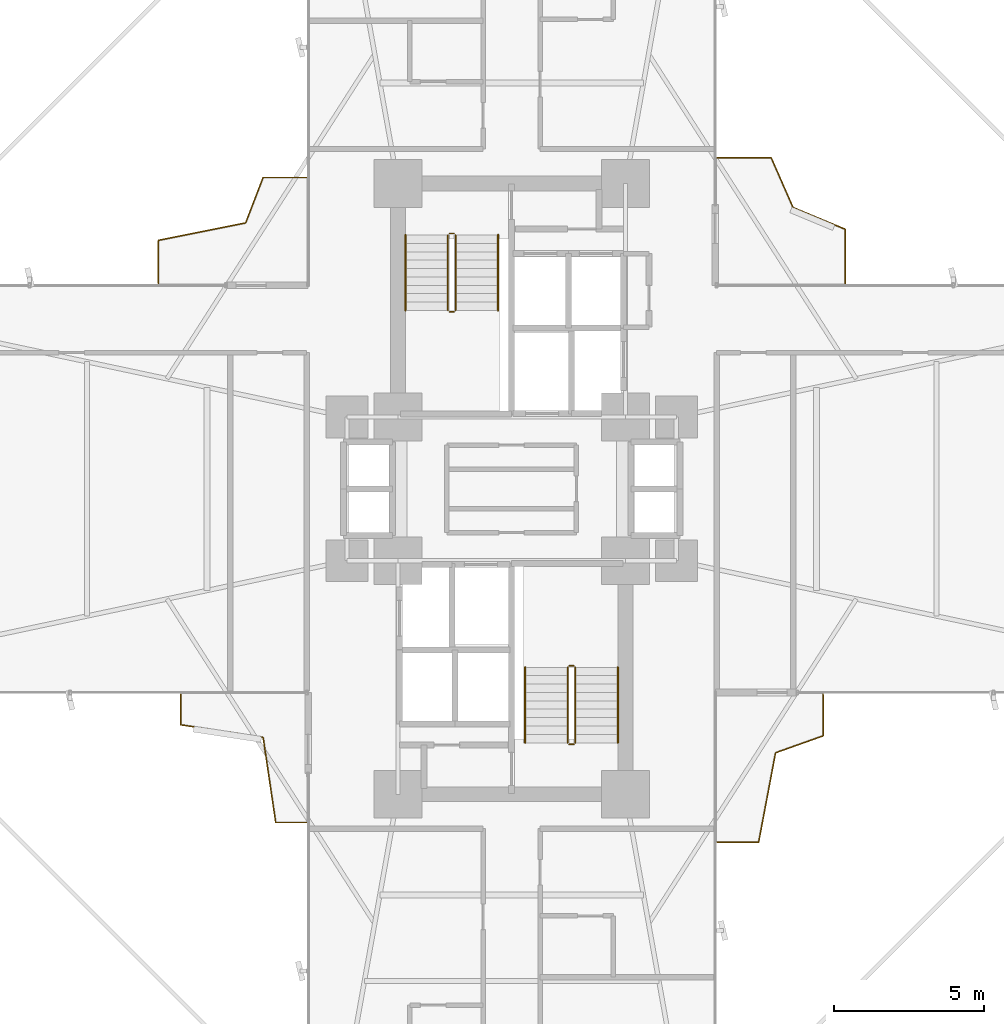
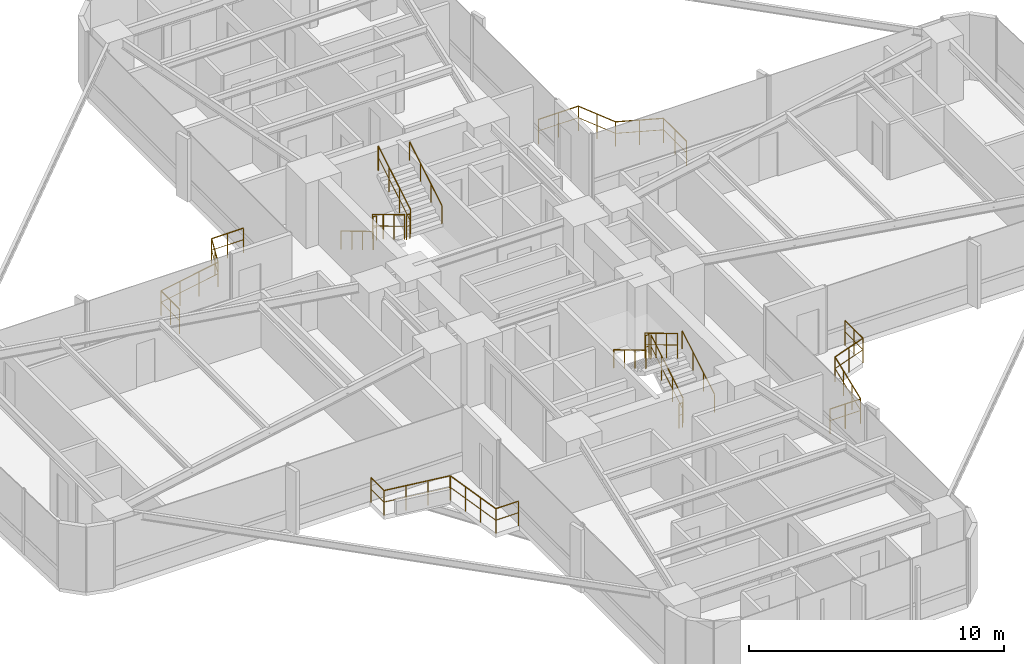
# One storey, part 25 of 25: 16 railings.
"""IFC4 building model written with IfcOpenShell, lengths in metres."""

from ifc_helpers import new_model, si_unit, direction, frame, origin, origin_2d, place, context, subcontext, project, spatial, circle, extrude, material, type_object, element, save


model = new_model("IFC4")

# Units and contexts
model_context = context("Model", 3, precision=1e-05, world=origin(), true_north=direction((0.0, 1.0)))
body_context = subcontext(model_context, "Body", "Model", "MODEL_VIEW")
ifc_project = project(units=[si_unit("LENGTHUNIT", "METRE"), si_unit("AREAUNIT", "SQUARE_METRE"), si_unit("VOLUMEUNIT", "CUBIC_METRE"), si_unit("PLANEANGLEUNIT", "RADIAN"), si_unit("MASSUNIT", "GRAM", prefix="KILO")], contexts=[model_context])

# Site, building, storey
site_placement = place(None, origin())
site = spatial("IfcSite", under=ifc_project, at=site_placement, CompositionType="ELEMENT")
building_placement = place(site_placement, origin())
building = spatial("IfcBuilding", under=site, at=building_placement, Name="Sahyath Konkavel Grand Hotel", CompositionType="ELEMENT")
storey_placement = place(building_placement, frame((0.0, 0.0, 36.5)))
storey = spatial("IfcBuildingStorey", under=building, at=storey_placement, Name="L09", CompositionType="ELEMENT", Elevation=36.5)

# Railings
ifc_material_1 = material(Name="Anodised Bronze Aluminium", Category="aluminium")
railing_type_1 = type_object("IfcRailingType", Name="RLG-BALC-1200", PredefinedType="GUARDRAIL", material=ifc_material_1)
railing_1_placement = place(storey_placement, frame((11.14404296875, 6.860107421875, 0.0)))
element("IfcRailing", 1, at=railing_1_placement, inside=storey, type_object=railing_type_1, Name="L09 Winter-Garden Guard NE", PredefinedType="GUARDRAIL", context=body_context, shape_type="SweptSolid", body=[
    extrude(circle(Radius=0.02392578125, at=origin_2d()), frame((0.0, 0.001953125, 1.17578125), z_axis=(0.0, 1.0, 0.0), x_axis=(-1.0, 0.0, 0.0)), (0.0, 0.0, 1.0), 1.807373046875),
    extrude(circle(Radius=0.01416015625, at=origin_2d()), frame((0.0, 0.001953125, 0.6240234375), z_axis=(0.0, 1.0, 0.0), x_axis=(-1.0, 0.0, 0.0)), (0.0, 0.0, 1.0), 1.807373046875),
    extrude(circle(Radius=0.02392578125, at=origin_2d()), frame((-0.001953125, 1.81201171875, 1.17578125), z_axis=(-0.923000498295, 0.384798752787, 0.0), x_axis=(-0.384798752787, -0.923000498295, 0.0)), (0.0, 0.0, 1.0), 1.88671875),
    extrude(circle(Radius=0.01416015625, at=origin_2d()), frame((-0.001953125, 1.81201171875, 0.6240234375), z_axis=(-0.923000498295, 0.384798752787, 0.0), x_axis=(-0.384798752787, -0.923000498295, 0.0)), (0.0, 0.0, 1.0), 1.88671875),
    extrude(circle(Radius=0.02392578125, at=origin_2d()), frame((-1.745849609375, 2.540771484375, 1.17578125), z_axis=(-0.402028683992, 0.915627073239, 0.0), x_axis=(-0.915627073239, -0.402028683992, 0.0)), (0.0, 0.0, 1.0), 1.8056640625),
    extrude(circle(Radius=0.01416015625, at=origin_2d()), frame((-1.745849609375, 2.540771484375, 0.6240234375), z_axis=(-0.402028683992, 0.915627073239, 0.0), x_axis=(-0.915627073239, -0.402028683992, 0.0)), (0.0, 0.0, 1.0), 1.8056640625),
    extrude(circle(Radius=0.02392578125, at=origin_2d()), frame((-2.474609375, 4.19580078125, 1.17578125), z_axis=(-1.0, 0.0, 0.0), x_axis=(0.0, -1.0, 0.0)), (0.0, 0.0, 1.0), 1.807373046875),
    extrude(circle(Radius=0.01416015625, at=origin_2d()), frame((-2.474609375, 4.19580078125, 0.6240234375), z_axis=(-1.0, 0.0, 0.0), x_axis=(0.0, -1.0, 0.0)), (0.0, 0.0, 1.0), 1.807373046875),
    extrude(circle(Radius=0.02099609375, at=origin_2d()), origin(), (0.0, 0.0, 1.0), 1.15185546875),
    extrude(circle(Radius=0.02099609375, at=origin_2d()), frame((0.0, 0.90576171875, 0.0)), (0.0, 0.0, 1.0), 1.15185546875),
    extrude(circle(Radius=0.02099609375, at=origin_2d()), frame((0.0, 1.811279296875, 0.0)), (0.0, 0.0, 1.0), 1.15185546875),
    extrude(circle(Radius=0.02099609375, at=origin_2d()), frame((-0.87255859375, 2.175048828125, 0.0)), (0.0, 0.0, 1.0), 1.15185546875),
    extrude(circle(Radius=0.02099609375, at=origin_2d()), frame((-1.7451171875, 2.538818359375, 0.0)), (0.0, 0.0, 1.0), 1.15185546875),
    extrude(circle(Radius=0.02099609375, at=origin_2d()), frame((-2.10888671875, 3.3671875, 0.0)), (0.0, 0.0, 1.0), 1.15185546875),
    extrude(circle(Radius=0.02099609375, at=origin_2d()), frame((-2.47265625, 4.19580078125, 0.0)), (0.0, 0.0, 1.0), 1.15185546875),
    extrude(circle(Radius=0.02099609375, at=origin_2d()), frame((-3.37841796875, 4.19580078125, 0.0)), (0.0, 0.0, 1.0), 1.15185546875),
    extrude(circle(Radius=0.02099609375, at=origin_2d()), frame((-4.283935546875, 4.19580078125, 0.0)), (0.0, 0.0, 1.0), 1.15185546875),
])
railing_2_placement = place(storey_placement, frame((-6.860107421875, 10.40087890625, 0.0)))
element("IfcRailing", 2, at=railing_2_placement, inside=storey, type_object=railing_type_1, Name="L09 Winter-Garden Guard NW", PredefinedType="GUARDRAIL", context=body_context, shape_type="SweptSolid", body=[
    extrude(circle(Radius=0.02392578125, at=origin_2d()), frame((-0.001953125, 0.0, 1.17578125), z_axis=(-1.0, 0.0, 0.0), x_axis=(0.0, -1.0, 0.0)), (0.0, 0.0, 1.0), 1.437255859375),
    extrude(circle(Radius=0.01416015625, at=origin_2d()), frame((-0.001953125, 0.0, 0.6240234375), z_axis=(-1.0, 0.0, 0.0), x_axis=(0.0, -1.0, 0.0)), (0.0, 0.0, 1.0), 1.437255859375),
    extrude(circle(Radius=0.02392578125, at=origin_2d()), frame((-1.44189453125, -0.001953125, 1.17578125), z_axis=(-0.359361765916, -0.933198328973, 0.0), x_axis=(0.933198328973, -0.359361765916, 0.0)), (0.0, 0.0, 1.0), 1.620361328125),
    extrude(circle(Radius=0.01416015625, at=origin_2d()), frame((-1.44189453125, -0.001953125, 0.6240234375), z_axis=(-0.359361765916, -0.933198328973, 0.0), x_axis=(0.933198328973, -0.359361765916, 0.0)), (0.0, 0.0, 1.0), 1.620361328125),
    extrude(circle(Radius=0.02392578125, at=origin_2d()), frame((-2.02685546875, -1.516357421875, 1.17578125), z_axis=(-0.980520598394, -0.196416282738, 0.0), x_axis=(0.196416282738, -0.980520598394, 0.0)), (0.0, 0.0, 1.0), 2.968017578125),
    extrude(circle(Radius=0.01416015625, at=origin_2d()), frame((-2.02685546875, -1.516357421875, 0.6240234375), z_axis=(-0.980520598394, -0.196416282738, 0.0), x_axis=(0.196416282738, -0.980520598394, 0.0)), (0.0, 0.0, 1.0), 2.968017578125),
    extrude(circle(Radius=0.02392578125, at=origin_2d()), frame((-4.93896484375, -2.1015625, 1.17578125), z_axis=(0.0, -1.0, 0.0), x_axis=(1.0, 0.0, 0.0)), (0.0, 0.0, 1.0), 1.437255859375),
    extrude(circle(Radius=0.01416015625, at=origin_2d()), frame((-4.93896484375, -2.1015625, 0.6240234375), z_axis=(0.0, -1.0, 0.0), x_axis=(1.0, 0.0, 0.0)), (0.0, 0.0, 1.0), 1.437255859375),
    extrude(circle(Radius=0.02099609375, at=origin_2d()), origin(), (0.0, 0.0, 1.0), 1.15185546875),
    extrude(circle(Radius=0.02099609375, at=origin_2d()), frame((-0.720703125, 0.0, 0.0)), (0.0, 0.0, 1.0), 1.15185546875),
    extrude(circle(Radius=0.02099609375, at=origin_2d()), frame((-1.441162109375, 0.0, 0.0)), (0.0, 0.0, 1.0), 1.15185546875),
    extrude(circle(Radius=0.02099609375, at=origin_2d()), frame((-1.73291015625, -0.7578125, 0.0)), (0.0, 0.0, 1.0), 1.15185546875),
    extrude(circle(Radius=0.02099609375, at=origin_2d()), frame((-2.02490234375, -1.515869140625, 0.0)), (0.0, 0.0, 1.0), 1.15185546875),
    extrude(circle(Radius=0.02099609375, at=origin_2d()), frame((-2.996337890625, -1.71044921875, 0.0)), (0.0, 0.0, 1.0), 1.15185546875),
    extrude(circle(Radius=0.02099609375, at=origin_2d()), frame((-3.967529296875, -1.905029296875, 0.0)), (0.0, 0.0, 1.0), 1.15185546875),
    extrude(circle(Radius=0.02099609375, at=origin_2d()), frame((-4.93896484375, -2.099609375, 0.0)), (0.0, 0.0, 1.0), 1.15185546875),
    extrude(circle(Radius=0.02099609375, at=origin_2d()), frame((-4.93896484375, -2.8203125, 0.0)), (0.0, 0.0, 1.0), 1.15185546875),
    extrude(circle(Radius=0.02099609375, at=origin_2d()), frame((-4.93896484375, -3.540771484375, 0.0)), (0.0, 0.0, 1.0), 1.15185546875),
])
railing_3_placement = place(storey_placement, frame((-11.055908203125, -6.860107421875, 0.0)))
element("IfcRailing", 3, at=railing_3_placement, inside=storey, type_object=railing_type_1, Name="L09 Winter-Garden Guard SW", PredefinedType="GUARDRAIL", context=body_context, shape_type="SweptSolid", body=[
    extrude(circle(Radius=0.02392578125, at=origin_2d()), frame((0.0, -0.001953125, 1.17578125), z_axis=(0.0, -1.0, 0.0), x_axis=(1.0, 0.0, 0.0)), (0.0, 0.0, 1.0), 1.0166015625),
    extrude(circle(Radius=0.01416015625, at=origin_2d()), frame((0.0, -0.001953125, 0.6240234375), z_axis=(0.0, -1.0, 0.0), x_axis=(1.0, 0.0, 0.0)), (0.0, 0.0, 1.0), 1.0166015625),
    extrude(circle(Radius=0.02392578125, at=origin_2d()), frame((0.001953125, -1.020751953125, 1.17578125), z_axis=(0.988555300229, -0.150858935395, 0.0), x_axis=(0.150858935395, 0.988555300229, 0.0)), (0.0, 0.0, 1.0), 2.78271484375),
    extrude(circle(Radius=0.01416015625, at=origin_2d()), frame((0.001953125, -1.020751953125, 0.6240234375), z_axis=(0.988555300229, -0.150858935395, 0.0), x_axis=(0.150858935395, 0.988555300229, 0.0)), (0.0, 0.0, 1.0), 2.78271484375),
    extrude(circle(Radius=0.02392578125, at=origin_2d()), frame((2.755126953125, -1.44287109375, 1.17578125), z_axis=(0.146283885531, -0.989242652151, 0.0), x_axis=(0.989242652151, 0.146283885531, 0.0)), (0.0, 0.0, 1.0), 2.869873046875),
    extrude(circle(Radius=0.01416015625, at=origin_2d()), frame((2.755126953125, -1.44287109375, 0.6240234375), z_axis=(0.146283885531, -0.989242652151, 0.0), x_axis=(0.989242652151, 0.146283885531, 0.0)), (0.0, 0.0, 1.0), 2.869873046875),
    extrude(circle(Radius=0.02392578125, at=origin_2d()), frame((3.17724609375, -4.283935546875, 1.17578125), z_axis=(1.0, 0.0, 0.0), x_axis=(0.0, 1.0, 0.0)), (0.0, 0.0, 1.0), 1.0166015625),
    extrude(circle(Radius=0.01416015625, at=origin_2d()), frame((3.17724609375, -4.283935546875, 0.6240234375), z_axis=(1.0, 0.0, 0.0), x_axis=(0.0, 1.0, 0.0)), (0.0, 0.0, 1.0), 1.0166015625),
    extrude(circle(Radius=0.02099609375, at=origin_2d()), origin(), (0.0, 0.0, 1.0), 1.15185546875),
    extrude(circle(Radius=0.02099609375, at=origin_2d()), frame((0.0, -1.0205078125, 0.0)), (0.0, 0.0, 1.0), 1.15185546875),
    extrude(circle(Radius=0.02099609375, at=origin_2d()), frame((0.918212890625, -1.16064453125, 0.0)), (0.0, 0.0, 1.0), 1.15185546875),
    extrude(circle(Radius=0.02099609375, at=origin_2d()), frame((1.836669921875, -1.30078125, 0.0)), (0.0, 0.0, 1.0), 1.15185546875),
    extrude(circle(Radius=0.02099609375, at=origin_2d()), frame((2.7548828125, -1.44091796875, 0.0)), (0.0, 0.0, 1.0), 1.15185546875),
    extrude(circle(Radius=0.02099609375, at=origin_2d()), frame((2.89501953125, -2.388671875, 0.0)), (0.0, 0.0, 1.0), 1.15185546875),
    extrude(circle(Radius=0.02099609375, at=origin_2d()), frame((3.03515625, -3.336181640625, 0.0)), (0.0, 0.0, 1.0), 1.15185546875),
    extrude(circle(Radius=0.02099609375, at=origin_2d()), frame((3.17529296875, -4.283935546875, 0.0)), (0.0, 0.0, 1.0), 1.15185546875),
    extrude(circle(Radius=0.02099609375, at=origin_2d()), frame((4.19580078125, -4.283935546875, 0.0)), (0.0, 0.0, 1.0), 1.15185546875),
])
railing_4_placement = place(storey_placement, frame((6.860107421875, -11.799072265625, 0.0)))
element("IfcRailing", 4, at=railing_4_placement, inside=storey, type_object=railing_type_1, Name="L09 Winter-Garden Guard SE", PredefinedType="GUARDRAIL", context=body_context, shape_type="SweptSolid", body=[
    extrude(circle(Radius=0.02392578125, at=origin_2d()), frame((0.001953125, 0.0, 1.17578125), z_axis=(1.0, 0.0, 0.0), x_axis=(0.0, 1.0, 0.0)), (0.0, 0.0, 1.0), 1.38671875),
    extrude(circle(Radius=0.01416015625, at=origin_2d()), frame((0.001953125, 0.0, 0.6240234375), z_axis=(1.0, 0.0, 0.0), x_axis=(0.0, 1.0, 0.0)), (0.0, 0.0, 1.0), 1.38671875),
    extrude(circle(Radius=0.02392578125, at=origin_2d()), frame((1.39111328125, 0.001953125, 1.17578125), z_axis=(0.185778396969, 0.982591668609, 0.0), x_axis=(-0.982591668609, 0.185778396969, 0.0)), (0.0, 0.0, 1.0), 3.032958984375),
    extrude(circle(Radius=0.01416015625, at=origin_2d()), frame((1.39111328125, 0.001953125, 0.6240234375), z_axis=(0.185778396969, 0.982591668609, 0.0), x_axis=(-0.982591668609, 0.185778396969, 0.0)), (0.0, 0.0, 1.0), 3.032958984375),
    extrude(circle(Radius=0.02392578125, at=origin_2d()), frame((1.956787109375, 2.98486328125, 1.17578125), z_axis=(0.942154651438, 0.335178478983, 0.0), x_axis=(-0.335178478983, 0.942154651438, 0.0)), (0.0, 0.0, 1.0), 1.67919921875),
    extrude(circle(Radius=0.01416015625, at=origin_2d()), frame((1.956787109375, 2.98486328125, 0.6240234375), z_axis=(0.942154651438, 0.335178478983, 0.0), x_axis=(-0.335178478983, 0.942154651438, 0.0)), (0.0, 0.0, 1.0), 1.67919921875),
    extrude(circle(Radius=0.02392578125, at=origin_2d()), frame((3.540771484375, 3.55029296875, 1.17578125), z_axis=(0.0, 1.0, 0.0), x_axis=(-1.0, 0.0, 0.0)), (0.0, 0.0, 1.0), 1.38671875),
    extrude(circle(Radius=0.01416015625, at=origin_2d()), frame((3.540771484375, 3.55029296875, 0.6240234375), z_axis=(0.0, 1.0, 0.0), x_axis=(-1.0, 0.0, 0.0)), (0.0, 0.0, 1.0), 1.38671875),
    extrude(circle(Radius=0.02099609375, at=origin_2d()), origin(), (0.0, 0.0, 1.0), 1.15185546875),
    extrude(circle(Radius=0.02099609375, at=origin_2d()), frame((0.6953125, 0.0, 0.0)), (0.0, 0.0, 1.0), 1.15185546875),
    extrude(circle(Radius=0.02099609375, at=origin_2d()), frame((1.390625, 0.0, 0.0)), (0.0, 0.0, 1.0), 1.15185546875),
    extrude(circle(Radius=0.02099609375, at=origin_2d()), frame((1.57861328125, 0.99462890625, 0.0)), (0.0, 0.0, 1.0), 1.15185546875),
    extrude(circle(Radius=0.02099609375, at=origin_2d()), frame((1.766845703125, 1.989501953125, 0.0)), (0.0, 0.0, 1.0), 1.15185546875),
    extrude(circle(Radius=0.02099609375, at=origin_2d()), frame((1.954833984375, 2.984130859375, 0.0)), (0.0, 0.0, 1.0), 1.15185546875),
    extrude(circle(Radius=0.02099609375, at=origin_2d()), frame((2.747802734375, 3.26611328125, 0.0)), (0.0, 0.0, 1.0), 1.15185546875),
    extrude(circle(Radius=0.02099609375, at=origin_2d()), frame((3.540771484375, 3.54833984375, 0.0)), (0.0, 0.0, 1.0), 1.15185546875),
    extrude(circle(Radius=0.02099609375, at=origin_2d()), frame((3.540771484375, 4.24365234375, 0.0)), (0.0, 0.0, 1.0), 1.15185546875),
    extrude(circle(Radius=0.02099609375, at=origin_2d()), frame((3.540771484375, 4.93896484375, 0.0)), (0.0, 0.0, 1.0), 1.15185546875),
])
ifc_material_2 = material(Name="Steel E350", Category="steel")
railing_type_2 = type_object("IfcRailingType", Name="RLG-STAIR-GRD", PredefinedType="GUARDRAIL", material=ifc_material_2)
railing_5_placement = place(storey_placement, frame((-2.1298828125, 8.47998046875, 0.16748046875)))
element("IfcRailing", 5, at=railing_5_placement, inside=storey, type_object=railing_type_2, Name="L09 ST-1 stair guard 1", PredefinedType="GUARDRAIL", context=body_context, shape_type="SweptSolid", body=[
    extrude(circle(Radius=0.02392578125, at=origin_2d()), frame((0.0, -0.001708984375, 1.177001953125), z_axis=(0.0, -0.858159760407, 0.513382728203), x_axis=(1.0, 0.0, 0.0)), (0.0, 0.0, 1.0), 2.9326171875),
    extrude(circle(Radius=0.01416015625, at=origin_2d()), frame((0.0, -0.001708984375, 0.625), z_axis=(0.0, -0.858159760407, 0.513382728203), x_axis=(1.0, 0.0, 0.0)), (0.0, 0.0, 1.0), 2.9326171875),
    extrude(circle(Radius=0.02099609375, at=origin_2d()), origin(), (0.0, 0.0, 1.0), 1.15185546875),
    extrude(circle(Radius=0.02099609375, at=origin_2d()), frame((0.0, -0.840087890625, 0.50244140625)), (0.0, 0.0, 1.0), 1.15185546875),
    extrude(circle(Radius=0.02099609375, at=origin_2d()), frame((0.0, -1.679931640625, 1.005126953125)), (0.0, 0.0, 1.0), 1.15185546875),
    extrude(circle(Radius=0.02099609375, at=origin_2d()), frame((0.0, -2.52001953125, 1.507568359375)), (0.0, 0.0, 1.0), 1.15185546875),
])
railing_6_placement = place(storey_placement, frame((-2.080078125, 5.909912109375, 1.675048828125)))
element("IfcRailing", 6, at=railing_6_placement, inside=storey, type_object=railing_type_2, Name="L09 ST-1 stair guard 2", PredefinedType="GUARDRAIL", context=body_context, shape_type="SweptSolid", body=[
    extrude(circle(Radius=0.02392578125, at=origin_2d()), frame((0.001953125, 0.0, 1.17578125), z_axis=(1.0, 0.0, 0.0), x_axis=(0.0, 1.0, 0.0)), (0.0, 0.0, 1.0), 0.15625),
    extrude(circle(Radius=0.01416015625, at=origin_2d()), frame((0.001953125, 0.0, 0.6240234375), z_axis=(1.0, 0.0, 0.0), x_axis=(0.0, 1.0, 0.0)), (0.0, 0.0, 1.0), 0.15625),
    extrude(circle(Radius=0.02099609375, at=origin_2d()), origin(), (0.0, 0.0, 1.0), 1.15185546875),
    extrude(circle(Radius=0.02099609375, at=origin_2d()), frame((0.16015625, 0.0, 0.0)), (0.0, 0.0, 1.0), 1.15185546875),
])
railing_7_placement = place(storey_placement, frame((-1.8701171875, 5.9599609375, 1.842529296875)))
element("IfcRailing", 7, at=railing_7_placement, inside=storey, type_object=railing_type_2, Name="L09 ST-1 stair guard 3", PredefinedType="GUARDRAIL", context=body_context, shape_type="SweptSolid", body=[
    extrude(circle(Radius=0.02392578125, at=origin_2d()), frame((0.0, 0.001708984375, 1.177001953125), z_axis=(0.0, 0.858159760407, 0.513382728203), x_axis=(-1.0, 0.0, 0.0)), (0.0, 0.0, 1.0), 2.9326171875),
    extrude(circle(Radius=0.01416015625, at=origin_2d()), frame((0.0, 0.001708984375, 0.625), z_axis=(0.0, 0.858159760407, 0.513382728203), x_axis=(-1.0, 0.0, 0.0)), (0.0, 0.0, 1.0), 2.9326171875),
    extrude(circle(Radius=0.02099609375, at=origin_2d()), origin(), (0.0, 0.0, 1.0), 1.15185546875),
    extrude(circle(Radius=0.02099609375, at=origin_2d()), frame((0.0, 0.840087890625, 0.50244140625)), (0.0, 0.0, 1.0), 1.15185546875),
    extrude(circle(Radius=0.02099609375, at=origin_2d()), frame((0.0, 1.679931640625, 1.005126953125)), (0.0, 0.0, 1.0), 1.15185546875),
    extrude(circle(Radius=0.02099609375, at=origin_2d()), frame((0.0, 2.52001953125, 1.507568359375)), (0.0, 0.0, 1.0), 1.15185546875),
])
railing_8_placement = place(storey_placement, frame((-2.080078125, 8.530029296875, 0.0)))
element("IfcRailing", 8, at=railing_8_placement, inside=storey, type_object=railing_type_2, Name="L09 ST-1 stair guard 4", PredefinedType="GUARDRAIL", context=body_context, shape_type="SweptSolid", body=[
    extrude(circle(Radius=0.02392578125, at=origin_2d()), frame((0.001953125, 0.0, 1.17578125), z_axis=(1.0, 0.0, 0.0), x_axis=(0.0, 1.0, 0.0)), (0.0, 0.0, 1.0), 0.15625),
    extrude(circle(Radius=0.01416015625, at=origin_2d()), frame((0.001953125, 0.0, 0.6240234375), z_axis=(1.0, 0.0, 0.0), x_axis=(0.0, 1.0, 0.0)), (0.0, 0.0, 1.0), 0.15625),
    extrude(circle(Radius=0.02099609375, at=origin_2d()), origin(), (0.0, 0.0, 1.0), 1.15185546875),
    extrude(circle(Radius=0.02099609375, at=origin_2d()), frame((0.16015625, 0.0, 0.0)), (0.0, 0.0, 1.0), 1.15185546875),
])
railing_9_placement = place(storey_placement, frame((2.1298828125, -8.47998046875, 0.16748046875)))
element("IfcRailing", 9, at=railing_9_placement, inside=storey, type_object=railing_type_2, Name="L09 ST-2 stair guard 1", PredefinedType="GUARDRAIL", context=body_context, shape_type="SweptSolid", body=[
    extrude(circle(Radius=0.02392578125, at=origin_2d()), frame((0.0, 0.001708984375, 1.177001953125), z_axis=(0.0, 0.858159760407, 0.513382728203), x_axis=(-1.0, 0.0, 0.0)), (0.0, 0.0, 1.0), 2.9326171875),
    extrude(circle(Radius=0.01416015625, at=origin_2d()), frame((0.0, 0.001708984375, 0.625), z_axis=(0.0, 0.858159760407, 0.513382728203), x_axis=(-1.0, 0.0, 0.0)), (0.0, 0.0, 1.0), 2.9326171875),
    extrude(circle(Radius=0.02099609375, at=origin_2d()), origin(), (0.0, 0.0, 1.0), 1.15185546875),
    extrude(circle(Radius=0.02099609375, at=origin_2d()), frame((0.0, 0.840087890625, 0.50244140625)), (0.0, 0.0, 1.0), 1.15185546875),
    extrude(circle(Radius=0.02099609375, at=origin_2d()), frame((0.0, 1.679931640625, 1.005126953125)), (0.0, 0.0, 1.0), 1.15185546875),
    extrude(circle(Radius=0.02099609375, at=origin_2d()), frame((0.0, 2.52001953125, 1.507568359375)), (0.0, 0.0, 1.0), 1.15185546875),
])
railing_10_placement = place(storey_placement, frame((2.080078125, -5.909912109375, 1.675048828125)))
element("IfcRailing", 10, at=railing_10_placement, inside=storey, type_object=railing_type_2, Name="L09 ST-2 stair guard 2", PredefinedType="GUARDRAIL", context=body_context, shape_type="SweptSolid", body=[
    extrude(circle(Radius=0.02392578125, at=origin_2d()), frame((-0.001953125, 0.0, 1.17578125), z_axis=(-1.0, 0.0, 0.0), x_axis=(0.0, -1.0, 0.0)), (0.0, 0.0, 1.0), 0.15625),
    extrude(circle(Radius=0.01416015625, at=origin_2d()), frame((-0.001953125, 0.0, 0.6240234375), z_axis=(-1.0, 0.0, 0.0), x_axis=(0.0, -1.0, 0.0)), (0.0, 0.0, 1.0), 0.15625),
    extrude(circle(Radius=0.02099609375, at=origin_2d()), origin(), (0.0, 0.0, 1.0), 1.15185546875),
    extrude(circle(Radius=0.02099609375, at=origin_2d()), frame((-0.16015625, 0.0, 0.0)), (0.0, 0.0, 1.0), 1.15185546875),
])
railing_11_placement = place(storey_placement, frame((1.8701171875, -5.9599609375, 1.842529296875)))
element("IfcRailing", 11, at=railing_11_placement, inside=storey, type_object=railing_type_2, Name="L09 ST-2 stair guard 3", PredefinedType="GUARDRAIL", context=body_context, shape_type="SweptSolid", body=[
    extrude(circle(Radius=0.02392578125, at=origin_2d()), frame((0.0, -0.001708984375, 1.177001953125), z_axis=(0.0, -0.858159760407, 0.513382728203), x_axis=(1.0, 0.0, 0.0)), (0.0, 0.0, 1.0), 2.9326171875),
    extrude(circle(Radius=0.01416015625, at=origin_2d()), frame((0.0, -0.001708984375, 0.625), z_axis=(0.0, -0.858159760407, 0.513382728203), x_axis=(1.0, 0.0, 0.0)), (0.0, 0.0, 1.0), 2.9326171875),
    extrude(circle(Radius=0.02099609375, at=origin_2d()), origin(), (0.0, 0.0, 1.0), 1.15185546875),
    extrude(circle(Radius=0.02099609375, at=origin_2d()), frame((0.0, -0.840087890625, 0.50244140625)), (0.0, 0.0, 1.0), 1.15185546875),
    extrude(circle(Radius=0.02099609375, at=origin_2d()), frame((0.0, -1.679931640625, 1.005126953125)), (0.0, 0.0, 1.0), 1.15185546875),
    extrude(circle(Radius=0.02099609375, at=origin_2d()), frame((0.0, -2.52001953125, 1.507568359375)), (0.0, 0.0, 1.0), 1.15185546875),
])
railing_12_placement = place(storey_placement, frame((2.080078125, -8.530029296875, 0.0)))
element("IfcRailing", 12, at=railing_12_placement, inside=storey, type_object=railing_type_2, Name="L09 ST-2 stair guard 4", PredefinedType="GUARDRAIL", context=body_context, shape_type="SweptSolid", body=[
    extrude(circle(Radius=0.02392578125, at=origin_2d()), frame((-0.001953125, 0.0, 1.17578125), z_axis=(-1.0, 0.0, 0.0), x_axis=(0.0, -1.0, 0.0)), (0.0, 0.0, 1.0), 0.15625),
    extrude(circle(Radius=0.01416015625, at=origin_2d()), frame((-0.001953125, 0.0, 0.6240234375), z_axis=(-1.0, 0.0, 0.0), x_axis=(0.0, -1.0, 0.0)), (0.0, 0.0, 1.0), 0.15625),
    extrude(circle(Radius=0.02099609375, at=origin_2d()), origin(), (0.0, 0.0, 1.0), 1.15185546875),
    extrude(circle(Radius=0.02099609375, at=origin_2d()), frame((-0.16015625, 0.0, 0.0)), (0.0, 0.0, 1.0), 1.15185546875),
])
railing_type_3 = type_object("IfcRailingType", Name="RLG-STAIR-HND", PredefinedType="HANDRAIL", material=ifc_material_1)
railing_13_placement = place(storey_placement, frame((-3.550048828125, 8.47998046875, 0.16748046875)))
element("IfcRailing", 13, at=railing_13_placement, inside=storey, type_object=railing_type_3, Name="L09 ST-1 stair handrail 1", PredefinedType="HANDRAIL", context=body_context, shape_type="SweptSolid", body=[
    extrude(circle(Radius=0.02392578125, at=origin_2d()), frame((0.0, -0.001708984375, 0.876953125), z_axis=(0.0, -0.858159760407, 0.513382728203), x_axis=(1.0, 0.0, 0.0)), (0.0, 0.0, 1.0), 2.9326171875),
    extrude(circle(Radius=0.02099609375, at=origin_2d()), origin(), (0.0, 0.0, 1.0), 0.851806640625),
    extrude(circle(Radius=0.02099609375, at=origin_2d()), frame((0.0, -0.840087890625, 0.50244140625)), (0.0, 0.0, 1.0), 0.851806640625),
    extrude(circle(Radius=0.02099609375, at=origin_2d()), frame((0.0, -1.679931640625, 1.005126953125)), (0.0, 0.0, 1.0), 0.851806640625),
    extrude(circle(Radius=0.02099609375, at=origin_2d()), frame((0.0, -2.52001953125, 1.507568359375)), (0.0, 0.0, 1.0), 0.851806640625),
])
for number, where, name in (
    (14, (-0.449951171875, 5.9599609375, 1.842529296875), "L09 ST-1 stair handrail 2"),
    (15, (3.550048828125, -8.47998046875, 0.16748046875), "L09 ST-2 stair handrail 1"),
):
    element("IfcRailing", number, at=place(storey_placement, frame(where)), inside=storey, type_object=railing_type_3, Name=name, PredefinedType="HANDRAIL", context=body_context, shape_type="SweptSolid", body=[
        extrude(circle(Radius=0.02392578125, at=origin_2d()), frame((0.0, 0.001708984375, 0.876953125), z_axis=(0.0, 0.858159760407, 0.513382728203), x_axis=(-1.0, 0.0, 0.0)), (0.0, 0.0, 1.0), 2.9326171875),
        extrude(circle(Radius=0.02099609375, at=origin_2d()), origin(), (0.0, 0.0, 1.0), 0.851806640625),
        extrude(circle(Radius=0.02099609375, at=origin_2d()), frame((0.0, 0.840087890625, 0.50244140625)), (0.0, 0.0, 1.0), 0.851806640625),
        extrude(circle(Radius=0.02099609375, at=origin_2d()), frame((0.0, 1.679931640625, 1.005126953125)), (0.0, 0.0, 1.0), 0.851806640625),
        extrude(circle(Radius=0.02099609375, at=origin_2d()), frame((0.0, 2.52001953125, 1.507568359375)), (0.0, 0.0, 1.0), 0.851806640625),
    ])
railing_14_placement = place(storey_placement, frame((0.449951171875, -5.9599609375, 1.842529296875)))
element("IfcRailing", 16, at=railing_14_placement, inside=storey, type_object=railing_type_3, Name="L09 ST-2 stair handrail 2", PredefinedType="HANDRAIL", context=body_context, shape_type="SweptSolid", body=[
    extrude(circle(Radius=0.02392578125, at=origin_2d()), frame((0.0, -0.001708984375, 0.876953125), z_axis=(0.0, -0.858159760407, 0.513382728203), x_axis=(1.0, 0.0, 0.0)), (0.0, 0.0, 1.0), 2.9326171875),
    extrude(circle(Radius=0.02099609375, at=origin_2d()), origin(), (0.0, 0.0, 1.0), 0.851806640625),
    extrude(circle(Radius=0.02099609375, at=origin_2d()), frame((0.0, -0.840087890625, 0.50244140625)), (0.0, 0.0, 1.0), 0.851806640625),
    extrude(circle(Radius=0.02099609375, at=origin_2d()), frame((0.0, -1.679931640625, 1.005126953125)), (0.0, 0.0, 1.0), 0.851806640625),
    extrude(circle(Radius=0.02099609375, at=origin_2d()), frame((0.0, -2.52001953125, 1.507568359375)), (0.0, 0.0, 1.0), 0.851806640625),
])

save(model, "model.ifc")
